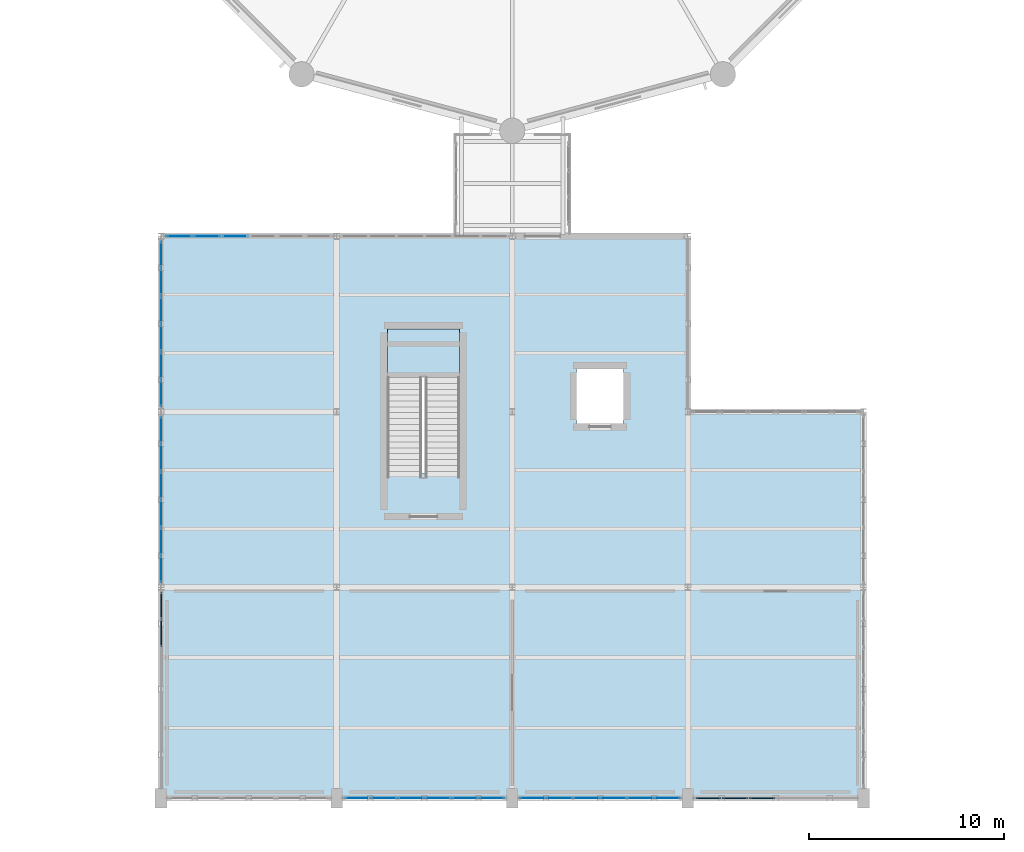
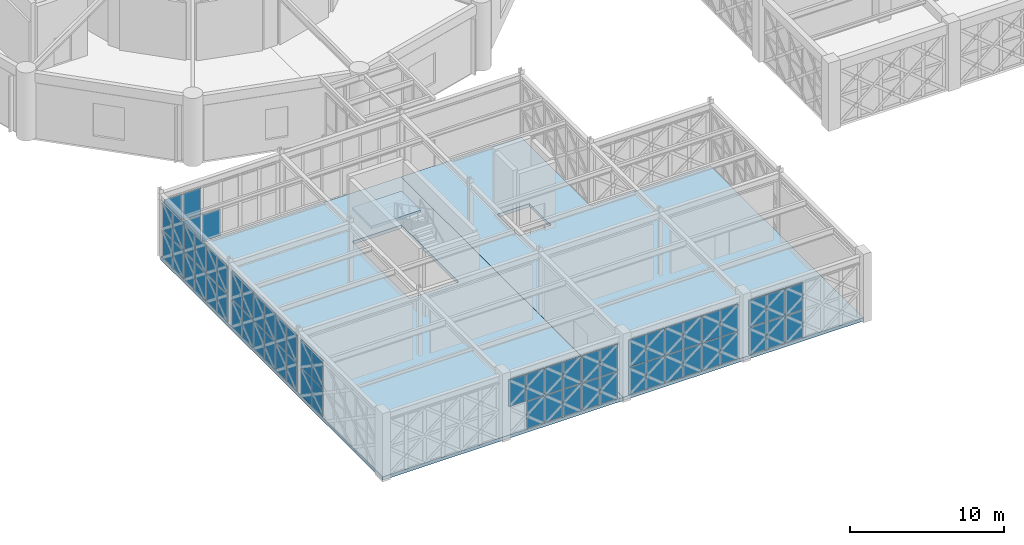
# One storey, part 120 of 155: 62 plates, 3 slabs, 8 elements without a shape of their own.
"""IFC4 building model written with IfcOpenShell, lengths in metres."""

from ifc_helpers import new_model, si_unit, direction, frame, origin, origin_2d, place, context, subcontext, project, spatial, polyline, rectangle, outline, extrude, material, layer, layer_set, type_object, element, aggregate, save


model = new_model("IFC4")

# Units and contexts
model_context = context("Model", 3, precision=1e-05, world=origin(), true_north=direction((0.0, 1.0)))
body_context = subcontext(model_context, "Body", "Model", "MODEL_VIEW")
ifc_project = project(units=[si_unit("LENGTHUNIT", "METRE"), si_unit("AREAUNIT", "SQUARE_METRE"), si_unit("VOLUMEUNIT", "CUBIC_METRE"), si_unit("PLANEANGLEUNIT", "RADIAN"), si_unit("MASSUNIT", "GRAM", prefix="KILO")], contexts=[model_context])

# Site, building, storey
site_placement = place(None, origin())
site = spatial("IfcSite", under=ifc_project, at=site_placement, CompositionType="ELEMENT")
building_placement = place(site_placement, origin())
building = spatial("IfcBuilding", under=site, at=building_placement, Name="Haizhuo Lancet Aquarium", CompositionType="ELEMENT")
storey_placement = place(building_placement, frame((0.0, 0.0, 10.800048828125)))
storey = spatial("IfcBuildingStorey", under=building, at=storey_placement, Name="L02", CompositionType="ELEMENT", Elevation=10.800048828125)

# Curtain wall, plates
ifc_material_1 = material(Name="Aluminium 6063-T6", Category="aluminium")
curtain_wall_type_1 = type_object("IfcCurtainWallType", Name="CWO-8310x4460", PredefinedType="NOTDEFINED", material=ifc_material_1)
curtain_wall_1_placement = place(storey_placement, origin())
curtain_wall_1 = element("IfcCurtainWall", 1, at=curtain_wall_1_placement, inside=storey, type_object=curtain_wall_type_1, Name="L02 curtain wall CW-V4-L02-109", PredefinedType="NOTDEFINED")
ifc_material_2 = material(Name="Laminated Low-E Glass", Category="glass")
ifc_layer_1 = layer(ifc_material_2, 0.028076171875)
ifc_layer_set_1 = layer_set([ifc_layer_1], Name="Laminated Low-E Glass")
plate_type_1 = type_object("IfcPlateType", Name="CW-PNL-1", PredefinedType="CURTAIN_PANEL", material=ifc_layer_set_1)
plate_1_placement = place(storey_placement, frame((7.946044921875, -55.800048828125, 0.0654296875), z_axis=(0.0, 0.0, 1.0), x_axis=(-1.0, 0.0, 0.0)))
plate_1 = element("IfcPlate", 2, at=plate_1_placement, type_object=plate_type_1, Name="CWO-83x44 panel 1.1", PredefinedType="CURTAIN_PANEL", context=body_context, shape_type="SweptSolid", body=[
    extrude(rectangle(XDim=1.287109375, YDim=0.028076171875, at=origin_2d()), origin(), (0.0, 0.0, 1.0), 2.133056640625),
])
plate_2_placement = place(storey_placement, frame((7.946044921875, -55.800048828125, 2.26318359375), z_axis=(0.0, 0.0, 1.0), x_axis=(-1.0, 0.0, 0.0)))
plate_2 = element("IfcPlate", 3, at=plate_2_placement, type_object=plate_type_1, Name="CWO-83x44 panel 1.2", PredefinedType="CURTAIN_PANEL", context=body_context, shape_type="SweptSolid", body=[
    extrude(rectangle(XDim=1.287109375, YDim=0.028076171875, at=origin_2d()), origin(), (0.0, 0.0, 1.0), 2.133056640625),
])
plate_3_placement = place(storey_placement, frame((6.576904296875, -55.800048828125, 0.0654296875), z_axis=(0.0, 0.0, 1.0), x_axis=(-1.0, 0.0, 0.0)))
plate_3 = element("IfcPlate", 4, at=plate_3_placement, type_object=plate_type_1, Name="CWO-83x44 panel 2.1", PredefinedType="CURTAIN_PANEL", context=body_context, shape_type="SweptSolid", body=[
    extrude(rectangle(XDim=1.320068359375, YDim=0.028076171875, at=origin_2d()), origin(), (0.0, 0.0, 1.0), 2.133056640625),
])
plate_4_placement = place(storey_placement, frame((6.576904296875, -55.800048828125, 2.26318359375), z_axis=(0.0, 0.0, 1.0), x_axis=(-1.0, 0.0, 0.0)))
plate_4 = element("IfcPlate", 5, at=plate_4_placement, type_object=plate_type_1, Name="CWO-83x44 panel 2.2", PredefinedType="CURTAIN_PANEL", context=body_context, shape_type="SweptSolid", body=[
    extrude(rectangle(XDim=1.320068359375, YDim=0.028076171875, at=origin_2d()), origin(), (0.0, 0.0, 1.0), 2.133056640625),
])
plate_5_placement = place(storey_placement, frame((5.19189453125, -55.800048828125, 0.0654296875), z_axis=(0.0, 0.0, 1.0), x_axis=(-1.0, 0.0, 0.0)))
plate_5 = element("IfcPlate", 6, at=plate_5_placement, type_object=plate_type_1, Name="CWO-83x44 panel 3.1", PredefinedType="CURTAIN_PANEL", context=body_context, shape_type="SweptSolid", body=[
    extrude(rectangle(XDim=1.320068359375, YDim=0.028076171875, at=origin_2d()), origin(), (0.0, 0.0, 1.0), 2.133056640625),
])
plate_6_placement = place(storey_placement, frame((5.19189453125, -55.800048828125, 2.26318359375), z_axis=(0.0, 0.0, 1.0), x_axis=(-1.0, 0.0, 0.0)))
plate_6 = element("IfcPlate", 7, at=plate_6_placement, type_object=plate_type_1, Name="CWO-83x44 panel 3.2", PredefinedType="CURTAIN_PANEL", context=body_context, shape_type="SweptSolid", body=[
    extrude(rectangle(XDim=1.320068359375, YDim=0.028076171875, at=origin_2d()), origin(), (0.0, 0.0, 1.0), 2.133056640625),
])
plate_7_placement = place(storey_placement, frame((3.80810546875, -55.800048828125, 0.0654296875), z_axis=(0.0, 0.0, 1.0), x_axis=(-1.0, 0.0, 0.0)))
plate_7 = element("IfcPlate", 8, at=plate_7_placement, type_object=plate_type_1, Name="CWO-83x44 panel 4.1", PredefinedType="CURTAIN_PANEL", context=body_context, shape_type="SweptSolid", body=[
    extrude(rectangle(XDim=1.320068359375, YDim=0.028076171875, at=origin_2d()), origin(), (0.0, 0.0, 1.0), 2.133056640625),
])
plate_8_placement = place(storey_placement, frame((3.80810546875, -55.800048828125, 2.26318359375), z_axis=(0.0, 0.0, 1.0), x_axis=(-1.0, 0.0, 0.0)))
plate_8 = element("IfcPlate", 9, at=plate_8_placement, type_object=plate_type_1, Name="CWO-83x44 panel 4.2", PredefinedType="CURTAIN_PANEL", context=body_context, shape_type="SweptSolid", body=[
    extrude(rectangle(XDim=1.320068359375, YDim=0.028076171875, at=origin_2d()), origin(), (0.0, 0.0, 1.0), 2.133056640625),
])
plate_9_placement = place(storey_placement, frame((2.423095703125, -55.800048828125, 0.0654296875), z_axis=(0.0, 0.0, 1.0), x_axis=(-1.0, 0.0, 0.0)))
plate_9 = element("IfcPlate", 10, at=plate_9_placement, type_object=plate_type_1, Name="CWO-83x44 panel 5.1", PredefinedType="CURTAIN_PANEL", context=body_context, shape_type="SweptSolid", body=[
    extrude(rectangle(XDim=1.320068359375, YDim=0.028076171875, at=origin_2d()), origin(), (0.0, 0.0, 1.0), 2.133056640625),
])
plate_10_placement = place(storey_placement, frame((2.423095703125, -55.800048828125, 2.26318359375), z_axis=(0.0, 0.0, 1.0), x_axis=(-1.0, 0.0, 0.0)))
plate_10 = element("IfcPlate", 11, at=plate_10_placement, type_object=plate_type_1, Name="CWO-83x44 panel 5.2", PredefinedType="CURTAIN_PANEL", context=body_context, shape_type="SweptSolid", body=[
    extrude(rectangle(XDim=1.320068359375, YDim=0.028076171875, at=origin_2d()), origin(), (0.0, 0.0, 1.0), 2.133056640625),
])
plate_11_placement = place(storey_placement, frame((1.053955078125, -55.800048828125, 0.0654296875), z_axis=(0.0, 0.0, 1.0), x_axis=(-1.0, 0.0, 0.0)))
plate_11 = element("IfcPlate", 12, at=plate_11_placement, type_object=plate_type_1, Name="CWO-83x44 panel 6.1", PredefinedType="CURTAIN_PANEL", context=body_context, shape_type="SweptSolid", body=[
    extrude(rectangle(XDim=1.287109375, YDim=0.028076171875, at=origin_2d()), origin(), (0.0, 0.0, 1.0), 2.133056640625),
])
plate_12_placement = place(storey_placement, frame((1.053955078125, -55.800048828125, 2.26318359375), z_axis=(0.0, 0.0, 1.0), x_axis=(-1.0, 0.0, 0.0)))
plate_12 = element("IfcPlate", 13, at=plate_12_placement, type_object=plate_type_1, Name="CWO-83x44 panel 6.2", PredefinedType="CURTAIN_PANEL", context=body_context, shape_type="SweptSolid", body=[
    extrude(rectangle(XDim=1.287109375, YDim=0.028076171875, at=origin_2d()), origin(), (0.0, 0.0, 1.0), 2.133056640625),
])
aggregate(curtain_wall_1, [plate_1, plate_2, plate_3, plate_4, plate_5, plate_6, plate_7, plate_8, plate_9, plate_10, plate_11, plate_12])

curtain_wall_type_2 = type_object("IfcCurtainWallType", Name="CWO-8610x4560", PredefinedType="NOTDEFINED", material=ifc_material_1)
curtain_wall_2_placement = place(storey_placement, origin())
curtain_wall_2 = element("IfcCurtainWall", 14, at=curtain_wall_2_placement, inside=storey, type_object=curtain_wall_type_2, Name="L02 curtain wall CW-V4-L02-113", PredefinedType="NOTDEFINED")
plate_13_placement = place(storey_placement, frame((-18.0, -44.069091796875, 0.074951171875), z_axis=(0.0, 0.0, 1.0), x_axis=(0.0, 1.0, 0.0)))
plate_13 = element("IfcPlate", 15, at=plate_13_placement, type_object=plate_type_1, Name="CWO-86x45 panel 1.1", PredefinedType="CURTAIN_PANEL", context=body_context, shape_type="SweptSolid", body=[
    extrude(rectangle(XDim=1.322021484375, YDim=0.028076171875, at=origin_2d()), origin(), (0.0, 0.0, 1.0), 2.16796875),
])
plate_14_placement = place(storey_placement, frame((-18.0, -44.069091796875, 2.318359375), z_axis=(0.0, 0.0, 1.0), x_axis=(0.0, 1.0, 0.0)))
plate_14 = element("IfcPlate", 16, at=plate_14_placement, type_object=plate_type_1, Name="CWO-86x45 panel 1.2", PredefinedType="CURTAIN_PANEL", context=body_context, shape_type="SweptSolid", body=[
    extrude(rectangle(XDim=1.322021484375, YDim=0.028076171875, at=origin_2d()), origin(), (0.0, 0.0, 1.0), 2.1689453125),
])
plate_15_placement = place(storey_placement, frame((-18.0, -42.653076171875, 0.074951171875), z_axis=(0.0, 0.0, 1.0), x_axis=(0.0, 1.0, 0.0)))
plate_15 = element("IfcPlate", 17, at=plate_15_placement, type_object=plate_type_1, Name="CWO-86x45 panel 2.1", PredefinedType="CURTAIN_PANEL", context=body_context, shape_type="SweptSolid", body=[
    extrude(rectangle(XDim=1.360107421875, YDim=0.028076171875, at=origin_2d()), origin(), (0.0, 0.0, 1.0), 2.16796875),
])
plate_16_placement = place(storey_placement, frame((-18.0, -42.653076171875, 2.318359375), z_axis=(0.0, 0.0, 1.0), x_axis=(0.0, 1.0, 0.0)))
plate_16 = element("IfcPlate", 18, at=plate_16_placement, type_object=plate_type_1, Name="CWO-86x45 panel 2.2", PredefinedType="CURTAIN_PANEL", context=body_context, shape_type="SweptSolid", body=[
    extrude(rectangle(XDim=1.360107421875, YDim=0.028076171875, at=origin_2d()), origin(), (0.0, 0.0, 1.0), 2.1689453125),
])
plate_17_placement = place(storey_placement, frame((-18.0, -41.218017578125, 0.074951171875), z_axis=(0.0, 0.0, 1.0), x_axis=(0.0, 1.0, 0.0)))
plate_17 = element("IfcPlate", 19, at=plate_17_placement, type_object=plate_type_1, Name="CWO-86x45 panel 3.1", PredefinedType="CURTAIN_PANEL", context=body_context, shape_type="SweptSolid", body=[
    extrude(rectangle(XDim=1.360107421875, YDim=0.028076171875, at=origin_2d()), origin(), (0.0, 0.0, 1.0), 2.16796875),
])
plate_18_placement = place(storey_placement, frame((-18.0, -41.218017578125, 2.318359375), z_axis=(0.0, 0.0, 1.0), x_axis=(0.0, 1.0, 0.0)))
plate_18 = element("IfcPlate", 20, at=plate_18_placement, type_object=plate_type_1, Name="CWO-86x45 panel 3.2", PredefinedType="CURTAIN_PANEL", context=body_context, shape_type="SweptSolid", body=[
    extrude(rectangle(XDim=1.360107421875, YDim=0.028076171875, at=origin_2d()), origin(), (0.0, 0.0, 1.0), 2.1689453125),
])
plate_19_placement = place(storey_placement, frame((-18.0, -39.781982421875, 0.074951171875), z_axis=(0.0, 0.0, 1.0), x_axis=(0.0, 1.0, 0.0)))
plate_19 = element("IfcPlate", 21, at=plate_19_placement, type_object=plate_type_1, Name="CWO-86x45 panel 4.1", PredefinedType="CURTAIN_PANEL", context=body_context, shape_type="SweptSolid", body=[
    extrude(rectangle(XDim=1.360107421875, YDim=0.028076171875, at=origin_2d()), origin(), (0.0, 0.0, 1.0), 2.16796875),
])
plate_20_placement = place(storey_placement, frame((-18.0, -39.781982421875, 2.318359375), z_axis=(0.0, 0.0, 1.0), x_axis=(0.0, 1.0, 0.0)))
plate_20 = element("IfcPlate", 22, at=plate_20_placement, type_object=plate_type_1, Name="CWO-86x45 panel 4.2", PredefinedType="CURTAIN_PANEL", context=body_context, shape_type="SweptSolid", body=[
    extrude(rectangle(XDim=1.360107421875, YDim=0.028076171875, at=origin_2d()), origin(), (0.0, 0.0, 1.0), 2.1689453125),
])
plate_21_placement = place(storey_placement, frame((-18.0, -38.346923828125, 0.074951171875), z_axis=(0.0, 0.0, 1.0), x_axis=(0.0, 1.0, 0.0)))
plate_21 = element("IfcPlate", 23, at=plate_21_placement, type_object=plate_type_1, Name="CWO-86x45 panel 5.1", PredefinedType="CURTAIN_PANEL", context=body_context, shape_type="SweptSolid", body=[
    extrude(rectangle(XDim=1.360107421875, YDim=0.028076171875, at=origin_2d()), origin(), (0.0, 0.0, 1.0), 2.16796875),
])
plate_22_placement = place(storey_placement, frame((-18.0, -38.346923828125, 2.318359375), z_axis=(0.0, 0.0, 1.0), x_axis=(0.0, 1.0, 0.0)))
plate_22 = element("IfcPlate", 24, at=plate_22_placement, type_object=plate_type_1, Name="CWO-86x45 panel 5.2", PredefinedType="CURTAIN_PANEL", context=body_context, shape_type="SweptSolid", body=[
    extrude(rectangle(XDim=1.360107421875, YDim=0.028076171875, at=origin_2d()), origin(), (0.0, 0.0, 1.0), 2.1689453125),
])
plate_23_placement = place(storey_placement, frame((-18.0, -36.930908203125, 0.074951171875), z_axis=(0.0, 0.0, 1.0), x_axis=(0.0, 1.0, 0.0)))
plate_23 = element("IfcPlate", 25, at=plate_23_placement, type_object=plate_type_1, Name="CWO-86x45 panel 6.1", PredefinedType="CURTAIN_PANEL", context=body_context, shape_type="SweptSolid", body=[
    extrude(rectangle(XDim=1.322998046875, YDim=0.028076171875, at=origin_2d()), origin(), (0.0, 0.0, 1.0), 2.16796875),
])
plate_24_placement = place(storey_placement, frame((-18.0, -36.930908203125, 2.318359375), z_axis=(0.0, 0.0, 1.0), x_axis=(0.0, 1.0, 0.0)))
plate_24 = element("IfcPlate", 26, at=plate_24_placement, type_object=plate_type_1, Name="CWO-86x45 panel 6.2", PredefinedType="CURTAIN_PANEL", context=body_context, shape_type="SweptSolid", body=[
    extrude(rectangle(XDim=1.322998046875, YDim=0.028076171875, at=origin_2d()), origin(), (0.0, 0.0, 1.0), 2.1689453125),
])
aggregate(curtain_wall_2, [plate_13, plate_14, plate_15, plate_16, plate_17, plate_18, plate_19, plate_20, plate_21, plate_22, plate_23, plate_24])

curtain_wall_type_3 = type_object("IfcCurtainWallType", Name="CWO-8610x4460", PredefinedType="NOTDEFINED", material=ifc_material_1)
curtain_wall_3_placement = place(storey_placement, origin())
curtain_wall_3 = element("IfcCurtainWall", 27, at=curtain_wall_3_placement, inside=storey, type_object=curtain_wall_type_3, Name="L02 curtain wall CW-V4-L02-102", PredefinedType="NOTDEFINED")
ifc_layer_2 = layer(ifc_material_2, 0.033935546875)
ifc_layer_set_2 = layer_set([ifc_layer_2], Name="Laminated Low-E Glass")
plate_type_2 = type_object("IfcPlateType", Name="CW-PNL-2", PredefinedType="CURTAIN_PANEL", material=ifc_layer_set_2)
plate_25_placement = place(storey_placement, frame((-17.06689453125, -27.0, 0.08056640625), z_axis=(0.0, 0.0, 1.0), x_axis=(1.0, 0.0, 0.0)))
plate_25 = element("IfcPlate", 28, at=plate_25_placement, type_object=plate_type_2, Name="CWO-86x44 panel 1.1", PredefinedType="CURTAIN_PANEL", context=body_context, shape_type="SweptSolid", body=[
    extrude(rectangle(XDim=1.31494140625, YDim=0.033935546875, at=origin_2d()), origin(), (0.0, 0.0, 1.0), 2.111083984375),
])
plate_26_placement = place(storey_placement, frame((-17.06689453125, -27.0, 2.271484375), z_axis=(0.0, 0.0, 1.0), x_axis=(1.0, 0.0, 0.0)))
plate_26 = element("IfcPlate", 29, at=plate_26_placement, type_object=plate_type_2, Name="CWO-86x44 panel 1.2", PredefinedType="CURTAIN_PANEL", context=body_context, shape_type="SweptSolid", body=[
    extrude(rectangle(XDim=1.31494140625, YDim=0.033935546875, at=origin_2d()), origin(), (0.0, 0.0, 1.0), 2.111083984375),
])
plate_27_placement = place(storey_placement, frame((-15.652099609375, -27.0, 0.08056640625), z_axis=(0.0, 0.0, 1.0), x_axis=(1.0, 0.0, 0.0)))
plate_27 = element("IfcPlate", 30, at=plate_27_placement, type_object=plate_type_2, Name="CWO-86x44 panel 2.1", PredefinedType="CURTAIN_PANEL", context=body_context, shape_type="SweptSolid", body=[
    extrude(rectangle(XDim=1.35498046875, YDim=0.033935546875, at=origin_2d()), origin(), (0.0, 0.0, 1.0), 2.111083984375),
])
plate_28_placement = place(storey_placement, frame((-15.652099609375, -27.0, 2.271484375), z_axis=(0.0, 0.0, 1.0), x_axis=(1.0, 0.0, 0.0)))
plate_28 = element("IfcPlate", 31, at=plate_28_placement, type_object=plate_type_2, Name="CWO-86x44 panel 2.2", PredefinedType="CURTAIN_PANEL", context=body_context, shape_type="SweptSolid", body=[
    extrude(rectangle(XDim=1.35498046875, YDim=0.033935546875, at=origin_2d()), origin(), (0.0, 0.0, 1.0), 2.111083984375),
])
plate_29_placement = place(storey_placement, frame((-14.218017578125, -27.0, 0.08056640625), z_axis=(0.0, 0.0, 1.0), x_axis=(1.0, 0.0, 0.0)))
plate_29 = element("IfcPlate", 32, at=plate_29_placement, type_object=plate_type_2, Name="CWO-86x44 panel 3.1", PredefinedType="CURTAIN_PANEL", context=body_context, shape_type="SweptSolid", body=[
    extrude(rectangle(XDim=1.35498046875, YDim=0.033935546875, at=origin_2d()), origin(), (0.0, 0.0, 1.0), 2.111083984375),
])
aggregate(curtain_wall_3, [plate_25, plate_26, plate_27, plate_28, plate_29])

curtain_wall_4_placement = place(storey_placement, origin())
curtain_wall_4 = element("IfcCurtainWall", 33, at=curtain_wall_4_placement, inside=storey, type_object=curtain_wall_type_1, Name="L02 curtain wall CW-V4-L02-110", PredefinedType="NOTDEFINED")
plate_30_placement = place(storey_placement, frame((-1.055908203125, -55.800048828125, 0.07470703125), z_axis=(0.0, 0.0, 1.0), x_axis=(-1.0, 0.0, 0.0)))
plate_30 = element("IfcPlate", 34, at=plate_30_placement, type_object=plate_type_2, Name="CWO-83x44 panel 1.1", PredefinedType="CURTAIN_PANEL", context=body_context, shape_type="SweptSolid", body=[
    extrude(rectangle(XDim=1.27197265625, YDim=0.033935546875, at=origin_2d()), origin(), (0.0, 0.0, 1.0), 2.118896484375),
])
plate_31_placement = place(storey_placement, frame((-1.055908203125, -55.800048828125, 2.2685546875), z_axis=(0.0, 0.0, 1.0), x_axis=(-1.0, 0.0, 0.0)))
plate_31 = element("IfcPlate", 35, at=plate_31_placement, type_object=plate_type_2, Name="CWO-83x44 panel 1.2", PredefinedType="CURTAIN_PANEL", context=body_context, shape_type="SweptSolid", body=[
    extrude(rectangle(XDim=1.27197265625, YDim=0.033935546875, at=origin_2d()), origin(), (0.0, 0.0, 1.0), 2.118896484375),
])
plate_32_placement = place(storey_placement, frame((-2.422119140625, -55.800048828125, 0.07470703125), z_axis=(0.0, 0.0, 1.0), x_axis=(-1.0, 0.0, 0.0)))
plate_32 = element("IfcPlate", 36, at=plate_32_placement, type_object=plate_type_2, Name="CWO-83x44 panel 2.1", PredefinedType="CURTAIN_PANEL", context=body_context, shape_type="SweptSolid", body=[
    extrude(rectangle(XDim=1.31005859375, YDim=0.033935546875, at=origin_2d()), origin(), (0.0, 0.0, 1.0), 2.118896484375),
])
plate_33_placement = place(storey_placement, frame((-2.422119140625, -55.800048828125, 2.2685546875), z_axis=(0.0, 0.0, 1.0), x_axis=(-1.0, 0.0, 0.0)))
plate_33 = element("IfcPlate", 37, at=plate_33_placement, type_object=plate_type_2, Name="CWO-83x44 panel 2.2", PredefinedType="CURTAIN_PANEL", context=body_context, shape_type="SweptSolid", body=[
    extrude(rectangle(XDim=1.31005859375, YDim=0.033935546875, at=origin_2d()), origin(), (0.0, 0.0, 1.0), 2.118896484375),
])
plate_34_placement = place(storey_placement, frame((-3.806884765625, -55.800048828125, 0.07470703125), z_axis=(0.0, 0.0, 1.0), x_axis=(-1.0, 0.0, 0.0)))
plate_34 = element("IfcPlate", 38, at=plate_34_placement, type_object=plate_type_2, Name="CWO-83x44 panel 3.1", PredefinedType="CURTAIN_PANEL", context=body_context, shape_type="SweptSolid", body=[
    extrude(rectangle(XDim=1.31005859375, YDim=0.033935546875, at=origin_2d()), origin(), (0.0, 0.0, 1.0), 2.118896484375),
])
plate_35_placement = place(storey_placement, frame((-3.806884765625, -55.800048828125, 2.2685546875), z_axis=(0.0, 0.0, 1.0), x_axis=(-1.0, 0.0, 0.0)))
plate_35 = element("IfcPlate", 39, at=plate_35_placement, type_object=plate_type_2, Name="CWO-83x44 panel 3.2", PredefinedType="CURTAIN_PANEL", context=body_context, shape_type="SweptSolid", body=[
    extrude(rectangle(XDim=1.31005859375, YDim=0.033935546875, at=origin_2d()), origin(), (0.0, 0.0, 1.0), 2.118896484375),
])
plate_36_placement = place(storey_placement, frame((-5.19189453125, -55.800048828125, 0.07470703125), z_axis=(0.0, 0.0, 1.0), x_axis=(-1.0, 0.0, 0.0)))
plate_36 = element("IfcPlate", 40, at=plate_36_placement, type_object=plate_type_2, Name="CWO-83x44 panel 4.1", PredefinedType="CURTAIN_PANEL", context=body_context, shape_type="SweptSolid", body=[
    extrude(rectangle(XDim=1.31005859375, YDim=0.033935546875, at=origin_2d()), origin(), (0.0, 0.0, 1.0), 2.118896484375),
])
plate_37_placement = place(storey_placement, frame((-5.19189453125, -55.800048828125, 2.2685546875), z_axis=(0.0, 0.0, 1.0), x_axis=(-1.0, 0.0, 0.0)))
plate_37 = element("IfcPlate", 41, at=plate_37_placement, type_object=plate_type_2, Name="CWO-83x44 panel 4.2", PredefinedType="CURTAIN_PANEL", context=body_context, shape_type="SweptSolid", body=[
    extrude(rectangle(XDim=1.31005859375, YDim=0.033935546875, at=origin_2d()), origin(), (0.0, 0.0, 1.0), 2.118896484375),
])
plate_38_placement = place(storey_placement, frame((-6.576904296875, -55.800048828125, 0.07470703125), z_axis=(0.0, 0.0, 1.0), x_axis=(-1.0, 0.0, 0.0)))
plate_38 = element("IfcPlate", 42, at=plate_38_placement, type_object=plate_type_2, Name="CWO-83x44 panel 5.1", PredefinedType="CURTAIN_PANEL", context=body_context, shape_type="SweptSolid", body=[
    extrude(rectangle(XDim=1.31005859375, YDim=0.033935546875, at=origin_2d()), origin(), (0.0, 0.0, 1.0), 2.118896484375),
])
plate_39_placement = place(storey_placement, frame((-6.576904296875, -55.800048828125, 2.2685546875), z_axis=(0.0, 0.0, 1.0), x_axis=(-1.0, 0.0, 0.0)))
plate_39 = element("IfcPlate", 43, at=plate_39_placement, type_object=plate_type_2, Name="CWO-83x44 panel 5.2", PredefinedType="CURTAIN_PANEL", context=body_context, shape_type="SweptSolid", body=[
    extrude(rectangle(XDim=1.31005859375, YDim=0.033935546875, at=origin_2d()), origin(), (0.0, 0.0, 1.0), 2.118896484375),
])
plate_40_placement = place(storey_placement, frame((-7.944091796875, -55.800048828125, 2.2685546875), z_axis=(0.0, 0.0, 1.0), x_axis=(-1.0, 0.0, 0.0)))
plate_40 = element("IfcPlate", 44, at=plate_40_placement, type_object=plate_type_2, Name="CWO-83x44 panel 6.2", PredefinedType="CURTAIN_PANEL", context=body_context, shape_type="SweptSolid", body=[
    extrude(rectangle(XDim=1.27294921875, YDim=0.033935546875, at=origin_2d()), origin(), (0.0, 0.0, 1.0), 2.118896484375),
])
aggregate(curtain_wall_4, [plate_30, plate_31, plate_32, plate_33, plate_34, plate_35, plate_36, plate_37, plate_38, plate_39, plate_40])

curtain_wall_5_placement = place(storey_placement, origin())
curtain_wall_5 = element("IfcCurtainWall", 45, at=curtain_wall_5_placement, inside=storey, type_object=curtain_wall_type_2, Name="L02 curtain wall CW-V4-L02-114", PredefinedType="NOTDEFINED")
plate_41_placement = place(storey_placement, frame((-18.0, -35.068115234375, 0.07958984375), z_axis=(0.0, 0.0, 1.0), x_axis=(0.0, 1.0, 0.0)))
plate_41 = element("IfcPlate", 46, at=plate_41_placement, type_object=plate_type_2, Name="CWO-86x45 panel 1.1", PredefinedType="CURTAIN_PANEL", context=body_context, shape_type="SweptSolid", body=[
    extrude(rectangle(XDim=1.31494140625, YDim=0.033935546875, at=origin_2d()), origin(), (0.0, 0.0, 1.0), 2.160888671875),
])
plate_42_placement = place(storey_placement, frame((-18.0, -35.068115234375, 2.3203125), z_axis=(0.0, 0.0, 1.0), x_axis=(0.0, 1.0, 0.0)))
plate_42 = element("IfcPlate", 47, at=plate_42_placement, type_object=plate_type_2, Name="CWO-86x45 panel 1.2", PredefinedType="CURTAIN_PANEL", context=body_context, shape_type="SweptSolid", body=[
    extrude(rectangle(XDim=1.31494140625, YDim=0.033935546875, at=origin_2d()), origin(), (0.0, 0.0, 1.0), 2.160888671875),
])
plate_43_placement = place(storey_placement, frame((-18.0, -33.653076171875, 0.07958984375), z_axis=(0.0, 0.0, 1.0), x_axis=(0.0, 1.0, 0.0)))
plate_43 = element("IfcPlate", 48, at=plate_43_placement, type_object=plate_type_2, Name="CWO-86x45 panel 2.1", PredefinedType="CURTAIN_PANEL", context=body_context, shape_type="SweptSolid", body=[
    extrude(rectangle(XDim=1.35498046875, YDim=0.033935546875, at=origin_2d()), origin(), (0.0, 0.0, 1.0), 2.160888671875),
])
plate_44_placement = place(storey_placement, frame((-18.0, -33.653076171875, 2.3203125), z_axis=(0.0, 0.0, 1.0), x_axis=(0.0, 1.0, 0.0)))
plate_44 = element("IfcPlate", 49, at=plate_44_placement, type_object=plate_type_2, Name="CWO-86x45 panel 2.2", PredefinedType="CURTAIN_PANEL", context=body_context, shape_type="SweptSolid", body=[
    extrude(rectangle(XDim=1.35498046875, YDim=0.033935546875, at=origin_2d()), origin(), (0.0, 0.0, 1.0), 2.160888671875),
])
plate_45_placement = place(storey_placement, frame((-18.0, -32.218017578125, 0.07958984375), z_axis=(0.0, 0.0, 1.0), x_axis=(0.0, 1.0, 0.0)))
plate_45 = element("IfcPlate", 50, at=plate_45_placement, type_object=plate_type_2, Name="CWO-86x45 panel 3.1", PredefinedType="CURTAIN_PANEL", context=body_context, shape_type="SweptSolid", body=[
    extrude(rectangle(XDim=1.35498046875, YDim=0.033935546875, at=origin_2d()), origin(), (0.0, 0.0, 1.0), 2.160888671875),
])
plate_46_placement = place(storey_placement, frame((-18.0, -32.218017578125, 2.3203125), z_axis=(0.0, 0.0, 1.0), x_axis=(0.0, 1.0, 0.0)))
plate_46 = element("IfcPlate", 51, at=plate_46_placement, type_object=plate_type_2, Name="CWO-86x45 panel 3.2", PredefinedType="CURTAIN_PANEL", context=body_context, shape_type="SweptSolid", body=[
    extrude(rectangle(XDim=1.35498046875, YDim=0.033935546875, at=origin_2d()), origin(), (0.0, 0.0, 1.0), 2.160888671875),
])
plate_47_placement = place(storey_placement, frame((-18.0, -30.781982421875, 0.07958984375), z_axis=(0.0, 0.0, 1.0), x_axis=(0.0, 1.0, 0.0)))
plate_47 = element("IfcPlate", 52, at=plate_47_placement, type_object=plate_type_2, Name="CWO-86x45 panel 4.1", PredefinedType="CURTAIN_PANEL", context=body_context, shape_type="SweptSolid", body=[
    extrude(rectangle(XDim=1.35498046875, YDim=0.033935546875, at=origin_2d()), origin(), (0.0, 0.0, 1.0), 2.160888671875),
])
plate_48_placement = place(storey_placement, frame((-18.0, -30.781982421875, 2.3203125), z_axis=(0.0, 0.0, 1.0), x_axis=(0.0, 1.0, 0.0)))
plate_48 = element("IfcPlate", 53, at=plate_48_placement, type_object=plate_type_2, Name="CWO-86x45 panel 4.2", PredefinedType="CURTAIN_PANEL", context=body_context, shape_type="SweptSolid", body=[
    extrude(rectangle(XDim=1.35498046875, YDim=0.033935546875, at=origin_2d()), origin(), (0.0, 0.0, 1.0), 2.160888671875),
])
plate_49_placement = place(storey_placement, frame((-18.0, -29.347900390625, 0.07958984375), z_axis=(0.0, 0.0, 1.0), x_axis=(0.0, 1.0, 0.0)))
plate_49 = element("IfcPlate", 54, at=plate_49_placement, type_object=plate_type_2, Name="CWO-86x45 panel 5.1", PredefinedType="CURTAIN_PANEL", context=body_context, shape_type="SweptSolid", body=[
    extrude(rectangle(XDim=1.35498046875, YDim=0.033935546875, at=origin_2d()), origin(), (0.0, 0.0, 1.0), 2.160888671875),
])
plate_50_placement = place(storey_placement, frame((-18.0, -29.347900390625, 2.3203125), z_axis=(0.0, 0.0, 1.0), x_axis=(0.0, 1.0, 0.0)))
plate_50 = element("IfcPlate", 55, at=plate_50_placement, type_object=plate_type_2, Name="CWO-86x45 panel 5.2", PredefinedType="CURTAIN_PANEL", context=body_context, shape_type="SweptSolid", body=[
    extrude(rectangle(XDim=1.35498046875, YDim=0.033935546875, at=origin_2d()), origin(), (0.0, 0.0, 1.0), 2.160888671875),
])
plate_51_placement = place(storey_placement, frame((-18.0, -27.931884765625, 0.07958984375), z_axis=(0.0, 0.0, 1.0), x_axis=(0.0, 1.0, 0.0)))
plate_51 = element("IfcPlate", 56, at=plate_51_placement, type_object=plate_type_2, Name="CWO-86x45 panel 6.1", PredefinedType="CURTAIN_PANEL", context=body_context, shape_type="SweptSolid", body=[
    extrude(rectangle(XDim=1.31494140625, YDim=0.033935546875, at=origin_2d()), origin(), (0.0, 0.0, 1.0), 2.160888671875),
])
plate_52_placement = place(storey_placement, frame((-18.0, -27.931884765625, 2.3203125), z_axis=(0.0, 0.0, 1.0), x_axis=(0.0, 1.0, 0.0)))
plate_52 = element("IfcPlate", 57, at=plate_52_placement, type_object=plate_type_2, Name="CWO-86x45 panel 6.2", PredefinedType="CURTAIN_PANEL", context=body_context, shape_type="SweptSolid", body=[
    extrude(rectangle(XDim=1.31494140625, YDim=0.033935546875, at=origin_2d()), origin(), (0.0, 0.0, 1.0), 2.160888671875),
])
aggregate(curtain_wall_5, [plate_41, plate_42, plate_43, plate_44, plate_45, plate_46, plate_47, plate_48, plate_49, plate_50, plate_51, plate_52])

curtain_wall_6_placement = place(storey_placement, origin())
curtain_wall_6 = element("IfcCurtainWall", 58, at=curtain_wall_6_placement, inside=storey, type_object=curtain_wall_type_1, Name="L02 curtain wall CW-V4-L02-108", PredefinedType="NOTDEFINED")
ifc_layer_3 = layer(ifc_material_2, 0.052001953125)
ifc_layer_set_3 = layer_set([ifc_layer_3], Name="Laminated Low-E Glass")
plate_type_3 = type_object("IfcPlateType", Name="CW-PNL-4", PredefinedType="CURTAIN_PANEL", material=ifc_layer_set_3)
plate_53_placement = place(storey_placement, frame((12.80810546875, -55.800048828125, 0.08056640625), z_axis=(0.0, 0.0, 1.0), x_axis=(-1.0, 0.0, 0.0)))
plate_53 = element("IfcPlate", 59, at=plate_53_placement, type_object=plate_type_3, Name="CWO-83x44 panel 4.1", PredefinedType="CURTAIN_PANEL", context=body_context, shape_type="SweptSolid", body=[
    extrude(rectangle(XDim=1.304931640625, YDim=0.052001953125, at=origin_2d()), origin(), (0.0, 0.0, 1.0), 2.111083984375),
])
plate_54_placement = place(storey_placement, frame((12.80810546875, -55.800048828125, 2.271484375), z_axis=(0.0, 0.0, 1.0), x_axis=(-1.0, 0.0, 0.0)))
plate_54 = element("IfcPlate", 60, at=plate_54_placement, type_object=plate_type_3, Name="CWO-83x44 panel 4.2", PredefinedType="CURTAIN_PANEL", context=body_context, shape_type="SweptSolid", body=[
    extrude(rectangle(XDim=1.304931640625, YDim=0.052001953125, at=origin_2d()), origin(), (0.0, 0.0, 1.0), 2.111083984375),
])
plate_55_placement = place(storey_placement, frame((11.423095703125, -55.800048828125, 0.08056640625), z_axis=(0.0, 0.0, 1.0), x_axis=(-1.0, 0.0, 0.0)))
plate_55 = element("IfcPlate", 61, at=plate_55_placement, type_object=plate_type_3, Name="CWO-83x44 panel 5.1", PredefinedType="CURTAIN_PANEL", context=body_context, shape_type="SweptSolid", body=[
    extrude(rectangle(XDim=1.304931640625, YDim=0.052001953125, at=origin_2d()), origin(), (0.0, 0.0, 1.0), 2.111083984375),
])
plate_56_placement = place(storey_placement, frame((11.423095703125, -55.800048828125, 2.271484375), z_axis=(0.0, 0.0, 1.0), x_axis=(-1.0, 0.0, 0.0)))
plate_56 = element("IfcPlate", 62, at=plate_56_placement, type_object=plate_type_3, Name="CWO-83x44 panel 5.2", PredefinedType="CURTAIN_PANEL", context=body_context, shape_type="SweptSolid", body=[
    extrude(rectangle(XDim=1.304931640625, YDim=0.052001953125, at=origin_2d()), origin(), (0.0, 0.0, 1.0), 2.111083984375),
])
plate_57_placement = place(storey_placement, frame((10.05810546875, -55.800048828125, 0.08056640625), z_axis=(0.0, 0.0, 1.0), x_axis=(-1.0, 0.0, 0.0)))
plate_57 = element("IfcPlate", 63, at=plate_57_placement, type_object=plate_type_3, Name="CWO-83x44 panel 6.1", PredefinedType="CURTAIN_PANEL", context=body_context, shape_type="SweptSolid", body=[
    extrude(rectangle(XDim=1.264892578125, YDim=0.052001953125, at=origin_2d()), origin(), (0.0, 0.0, 1.0), 2.111083984375),
])
plate_58_placement = place(storey_placement, frame((10.05810546875, -55.800048828125, 2.271484375), z_axis=(0.0, 0.0, 1.0), x_axis=(-1.0, 0.0, 0.0)))
plate_58 = element("IfcPlate", 64, at=plate_58_placement, type_object=plate_type_3, Name="CWO-83x44 panel 6.2", PredefinedType="CURTAIN_PANEL", context=body_context, shape_type="SweptSolid", body=[
    extrude(rectangle(XDim=1.264892578125, YDim=0.052001953125, at=origin_2d()), origin(), (0.0, 0.0, 1.0), 2.111083984375),
])
aggregate(curtain_wall_6, [plate_53, plate_54, plate_55, plate_56, plate_57, plate_58])

curtain_wall_type_4 = type_object("IfcCurtainWallType", Name="CWO-10060x4560", PredefinedType="NOTDEFINED", material=ifc_material_1)
curtain_wall_7_placement = place(storey_placement, origin())
curtain_wall_7 = element("IfcCurtainWall", 65, at=curtain_wall_7_placement, inside=storey, type_object=curtain_wall_type_4, Name="L02 curtain wall CW-V4-L02-112", PredefinedType="NOTDEFINED")
plate_59_placement = place(storey_placement, frame((-18.0, -47.35107421875, 0.0654296875), z_axis=(0.0, 0.0, 1.0), x_axis=(0.0, 1.0, 0.0)))
plate_59 = element("IfcPlate", 66, at=plate_59_placement, type_object=plate_type_3, Name="CWO-100x45 panel 6.1", PredefinedType="CURTAIN_PANEL", context=body_context, shape_type="SweptSolid", body=[
    extrude(rectangle(XDim=1.3720703125, YDim=0.052001953125, at=origin_2d()), origin(), (0.0, 0.0, 1.0), 2.18310546875),
])
plate_60_placement = place(storey_placement, frame((-18.0, -47.35107421875, 2.3134765625), z_axis=(0.0, 0.0, 1.0), x_axis=(0.0, 1.0, 0.0)))
plate_60 = element("IfcPlate", 67, at=plate_60_placement, type_object=plate_type_3, Name="CWO-100x45 panel 6.2", PredefinedType="CURTAIN_PANEL", context=body_context, shape_type="SweptSolid", body=[
    extrude(rectangle(XDim=1.3720703125, YDim=0.052001953125, at=origin_2d()), origin(), (0.0, 0.0, 1.0), 2.18310546875),
])
plate_61_placement = place(storey_placement, frame((-18.0, -45.929931640625, 0.0654296875), z_axis=(0.0, 0.0, 1.0), x_axis=(0.0, 1.0, 0.0)))
plate_61 = element("IfcPlate", 68, at=plate_61_placement, type_object=plate_type_3, Name="CWO-100x45 panel 7.1", PredefinedType="CURTAIN_PANEL", context=body_context, shape_type="SweptSolid", body=[
    extrude(rectangle(XDim=1.340087890625, YDim=0.052001953125, at=origin_2d()), origin(), (0.0, 0.0, 1.0), 2.18310546875),
])
plate_62_placement = place(storey_placement, frame((-18.0, -45.929931640625, 2.3134765625), z_axis=(0.0, 0.0, 1.0), x_axis=(0.0, 1.0, 0.0)))
plate_62 = element("IfcPlate", 69, at=plate_62_placement, type_object=plate_type_3, Name="CWO-100x45 panel 7.2", PredefinedType="CURTAIN_PANEL", context=body_context, shape_type="SweptSolid", body=[
    extrude(rectangle(XDim=1.340087890625, YDim=0.052001953125, at=origin_2d()), origin(), (0.0, 0.0, 1.0), 2.18310546875),
])
aggregate(curtain_wall_7, [plate_59, plate_60, plate_61, plate_62])

# Stair, slab
ifc_material_3 = material(Name="Concrete C40/50", Category="concrete")
stair_type = type_object("IfcStairType", Name="STR-HT-1750-54", PredefinedType="HALF_TURN_STAIR", material=ifc_material_3)
stair_placement = place(storey_placement, origin())
stair = element("IfcStair", 70, at=stair_placement, inside=storey, type_object=stair_type, Name="L02 enclosed exit stair ST-06", PredefinedType="HALF_TURN_STAIR")
ifc_layer_4 = layer(ifc_material_3, 0.199951171875)
ifc_layer_set_4 = layer_set([ifc_layer_4], Name="Concrete C40/50")
slab_type_1 = type_object("IfcSlabType", Name="SLB-LND-1750", PredefinedType="LANDING", material=ifc_layer_set_4)
slab_1_placement = place(storey_placement, frame((0.0, 0.0, 2.5)))
slab_1 = element("IfcSlab", 71, at=slab_1_placement, type_object=slab_type_1, Name="ST-45 landing 1", PredefinedType="LANDING", context=body_context, shape_type="SweptSolid", body=[
    extrude(outline(polyline([(-2.699951171875, -34.25), (-2.699951171875, -31.75), (-6.39990234375, -31.75), (-6.39990234375, -34.25), (-2.699951171875, -34.25)])), origin(), (0.0, 0.0, 1.0), 0.199951171875),
])
aggregate(stair, [slab_1])

# Slabs
ifc_layer_5 = layer(ifc_material_3, 0.260009765625)
ifc_layer_set_5 = layer_set([ifc_layer_5], Name="Concrete C40/50")
slab_type_2 = type_object("IfcSlabType", Name="SLB-UPPER-260", PredefinedType="FLOOR", material=ifc_layer_set_5)
slab_2_placement = place(storey_placement, frame((0.0, 0.0, -0.260009765625)))
element("IfcSlab", 72, at=slab_2_placement, inside=storey, type_object=slab_type_2, Name="L02 structural slab SL-L02-V4-01", PredefinedType="FLOOR", context=body_context, shape_type="SweptSolid", body=[
    extrude(outline(polyline([(0.0, -55.800048828125), (0.0, -27.0), (-18.0, -27.0), (-18.0, -55.800048828125), (0.0, -55.800048828125)]), holes=[polyline([(-2.699951171875, -39.169921875), (-2.699951171875, -31.75), (-6.39990234375, -31.75), (-6.39990234375, -39.169921875), (-2.699951171875, -39.169921875)])]), origin(), (0.0, 0.0, 1.0), 0.260009765625),
])
slab_3_placement = place(storey_placement, frame((0.0, 0.0, -0.260009765625)))
element("IfcSlab", 73, at=slab_3_placement, inside=storey, type_object=slab_type_2, Name="L02 structural slab SL-L02-V4-02", PredefinedType="FLOOR", context=body_context, shape_type="SweptSolid", body=[
    extrude(outline(polyline([(18.0, -36.0), (9.0, -36.0), (9.0, -27.0), (0.0, -27.0), (0.0, -55.800048828125), (18.0, -55.800048828125), (18.0, -36.0)]), holes=[polyline([(3.300048828125, -33.800048828125), (3.300048828125, -36.60009765625), (5.699951171875, -36.60009765625), (5.699951171875, -33.800048828125), (3.300048828125, -33.800048828125)])]), origin(), (0.0, 0.0, 1.0), 0.260009765625),
])

save(model, "model.ifc")
